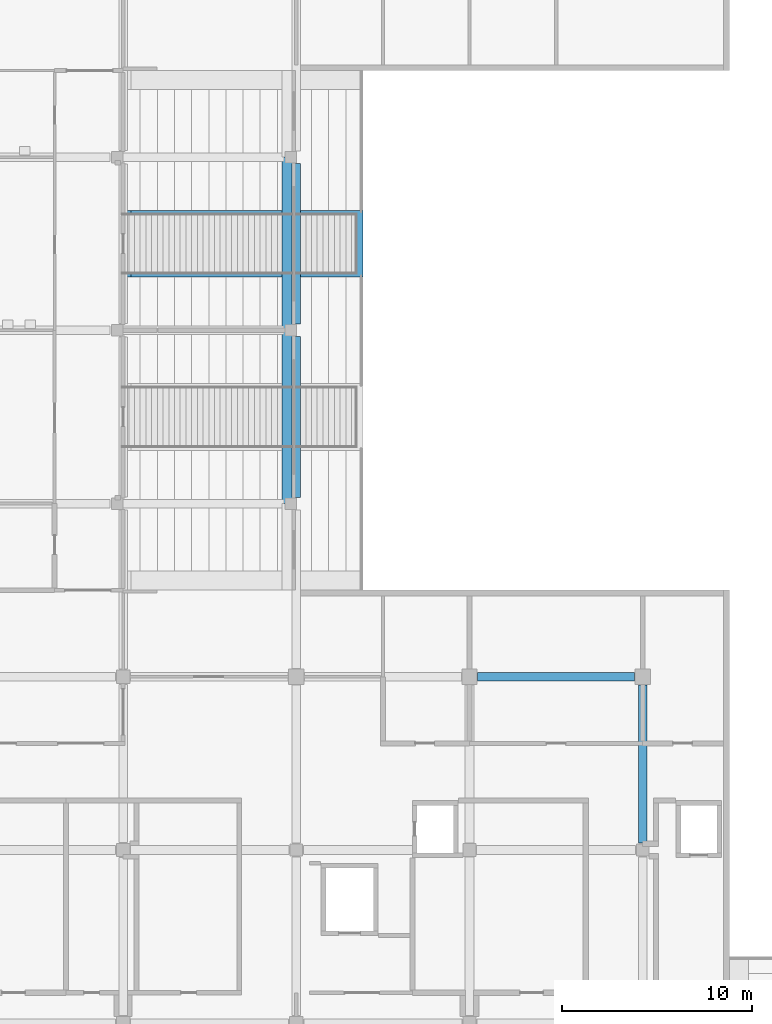
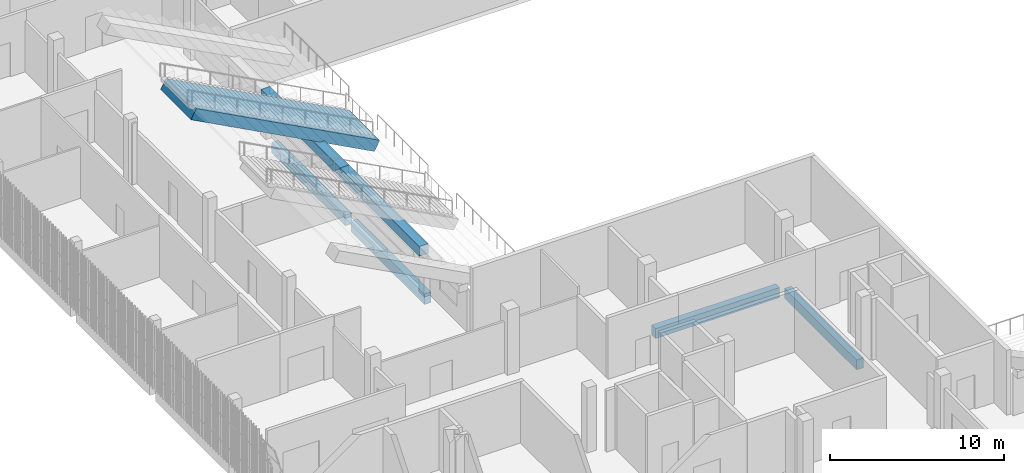
# One storey, part 21 of 139: 7 beams.
"""IFC4 building model written with IfcOpenShell, lengths in metres."""

from ifc_helpers import new_model, si_unit, direction, frame, origin, origin_2d, place, context, subcontext, project, spatial, rectangle, extrude, material, material_profile, profile_set, type_object, element, save


model = new_model("IFC4")

# Units and contexts
model_context = context("Model", 3, precision=1e-05, world=origin(), true_north=direction((0.0, 1.0)))
body_context = subcontext(model_context, "Body", "Model", "MODEL_VIEW")
ifc_project = project(units=[si_unit("LENGTHUNIT", "METRE"), si_unit("AREAUNIT", "SQUARE_METRE"), si_unit("VOLUMEUNIT", "CUBIC_METRE"), si_unit("PLANEANGLEUNIT", "RADIAN"), si_unit("MASSUNIT", "GRAM", prefix="KILO")], contexts=[model_context])

# Site, building, storey
site_placement = place(None, origin())
site = spatial("IfcSite", under=ifc_project, at=site_placement, CompositionType="ELEMENT")
building_placement = place(site_placement, origin())
building = spatial("IfcBuilding", under=site, at=building_placement, Name="Shirokan Park Arena", CompositionType="ELEMENT")
storey_placement = place(building_placement, frame((0.0, 0.0, 15.469970703125)))
storey = spatial("IfcBuildingStorey", under=building, at=storey_placement, Name="L03", CompositionType="ELEMENT", Elevation=15.469970703125)

# Beams
ifc_material = material(Name="Concrete C35", Category="concrete")
ifc_material_profile_1 = material_profile(ifc_material, rectangle(XDim=0.449951171875, YDim=0.699951171875, at=origin_2d()), Name="450x700")
ifc_profile_set_1 = profile_set([ifc_material_profile_1], Name="Concrete C35")
beam_type_1 = type_object("IfcBeamType", Name="RC girder 450x700", PredefinedType="BEAM", material=ifc_profile_set_1)
beam_1_placement = place(storey_placement, frame((27.72509765625, 36.39990234375, -0.64990234375), z_axis=(1.0, 0.0, 0.0), x_axis=(0.0, 1.0, 0.0)))
element("IfcBeam", 1, at=beam_1_placement, inside=storey, type_object=beam_type_1, Name="Girder 4E-5E L03", PredefinedType="BEAM", context=body_context, shape_type="SweptSolid", body=[
    extrude(rectangle(XDim=0.449951171875, YDim=0.699951171875, at=origin_2d()), origin(), (0.0, 0.0, 1.0), 8.249755859375),
])
beam_2_placement = place(storey_placement, frame((36.39990234375, 27.675048828125, -0.64990234375), z_axis=(0.0, 1.0, 0.0), x_axis=(-1.0, 0.0, 0.0)))
element("IfcBeam", 2, at=beam_2_placement, inside=storey, type_object=beam_type_1, Name="Girder 5D-5E L03", PredefinedType="BEAM", context=body_context, shape_type="SweptSolid", body=[
    extrude(rectangle(XDim=0.449951171875, YDim=0.699951171875, at=origin_2d()), origin(), (0.0, 0.0, 1.0), 8.2998046875),
])
ifc_material_profile_2 = material_profile(ifc_material, rectangle(XDim=0.449951171875, YDim=0.75, at=origin_2d()), Name="450x750")
ifc_profile_set_2 = profile_set([ifc_material_profile_2], Name="Concrete C35")
beam_type_2 = type_object("IfcBeamType", Name="RC girder 450x750", PredefinedType="BEAM", material=ifc_profile_set_2)
beam_3_placement = place(storey_placement, frame((18.199951171875, 45.8251953125, -0.675048828125), z_axis=(0.0, 1.0, 0.0), x_axis=(-1.0, 0.0, 0.0)))
element("IfcBeam", 3, at=beam_3_placement, inside=storey, type_object=beam_type_2, Name="Girder 3F-3G L03", PredefinedType="BEAM", context=body_context, shape_type="SweptSolid", body=[
    extrude(rectangle(XDim=0.449951171875, YDim=0.75, at=origin_2d()), origin(), (0.0, 0.0, 1.0), 8.44970703125),
])
beam_4_placement = place(storey_placement, frame((18.199951171875, 54.925048828125, -0.675048828125), z_axis=(0.0, 1.0, 0.0), x_axis=(-1.0, 0.0, 0.0)))
element("IfcBeam", 4, at=beam_4_placement, inside=storey, type_object=beam_type_2, Name="Girder 3G-3H L03", PredefinedType="BEAM", context=body_context, shape_type="SweptSolid", body=[
    extrude(rectangle(XDim=0.449951171875, YDim=0.75, at=origin_2d()), origin(), (0.0, 0.0, 1.0), 8.449951171875),
])
ifc_material_profile_3 = material_profile(ifc_material, rectangle(XDim=3.5, YDim=0.75, at=origin_2d()), Name="3500x750")
ifc_profile_set_3 = profile_set([ifc_material_profile_3], Name="Concrete C35")
beam_type_3 = type_object("IfcBeamType", Name="RC raker 3500x750", PredefinedType="USERDEFINED", material=ifc_profile_set_3)
beam_5_placement = place(storey_placement, frame((21.5234375, 59.14990234375, 1.822509765625), z_axis=(-0.882353431028, 0.0, 0.470587316821), x_axis=(0.0, -1.0, 0.0)))
element("IfcBeam", 5, at=beam_5_placement, inside=storey, type_object=beam_type_3, Name="Raker upper W 2", ObjectType="RAKER BEAM", PredefinedType="USERDEFINED", context=body_context, shape_type="SweptSolid", body=[
    extrude(rectangle(XDim=3.5, YDim=0.75, at=origin_2d()), origin(), (0.0, 0.0, 1.0), 13.79638671875),
])
ifc_material_profile_4 = material_profile(ifc_material, rectangle(XDim=0.60009765625, YDim=0.699951171875, at=origin_2d()), Name="600x700")
ifc_profile_set_4 = profile_set([ifc_material_profile_4], Name="Concrete C35")
beam_type_4 = type_object("IfcBeamType", Name="RC stand girder 600x700", PredefinedType="BEAM", material=ifc_profile_set_4)
beam_6_placement = place(storey_placement, frame((17.75, 45.5, 3.06005859375), z_axis=(0.0, 1.0, 0.0), x_axis=(-1.0, 0.0, 0.0)))
element("IfcBeam", 6, at=beam_6_placement, inside=storey, type_object=beam_type_4, Name="Stand girder W R3 2", PredefinedType="BEAM", context=body_context, shape_type="SweptSolid", body=[
    extrude(rectangle(XDim=0.60009765625, YDim=0.699951171875, at=origin_2d()), origin(), (0.0, 0.0, 1.0), 9.10009765625),
])
beam_7_placement = place(storey_placement, frame((17.75, 54.60009765625, 3.06005859375), z_axis=(0.0, 1.0, 0.0), x_axis=(-1.0, 0.0, 0.0)))
element("IfcBeam", 7, at=beam_7_placement, inside=storey, type_object=beam_type_4, Name="Stand girder W R3 3", PredefinedType="BEAM", context=body_context, shape_type="SweptSolid", body=[
    extrude(rectangle(XDim=0.60009765625, YDim=0.699951171875, at=origin_2d()), origin(), (0.0, 0.0, 1.0), 9.099853515625),
])

save(model, "model.ifc")
